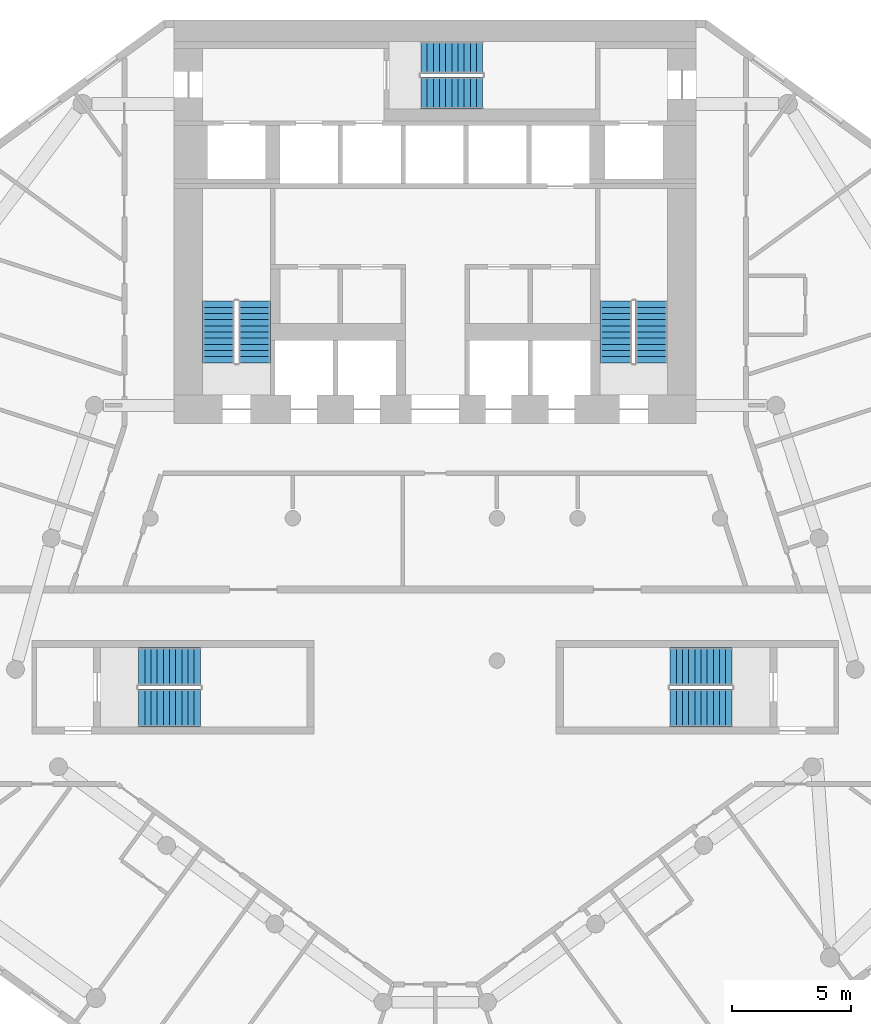
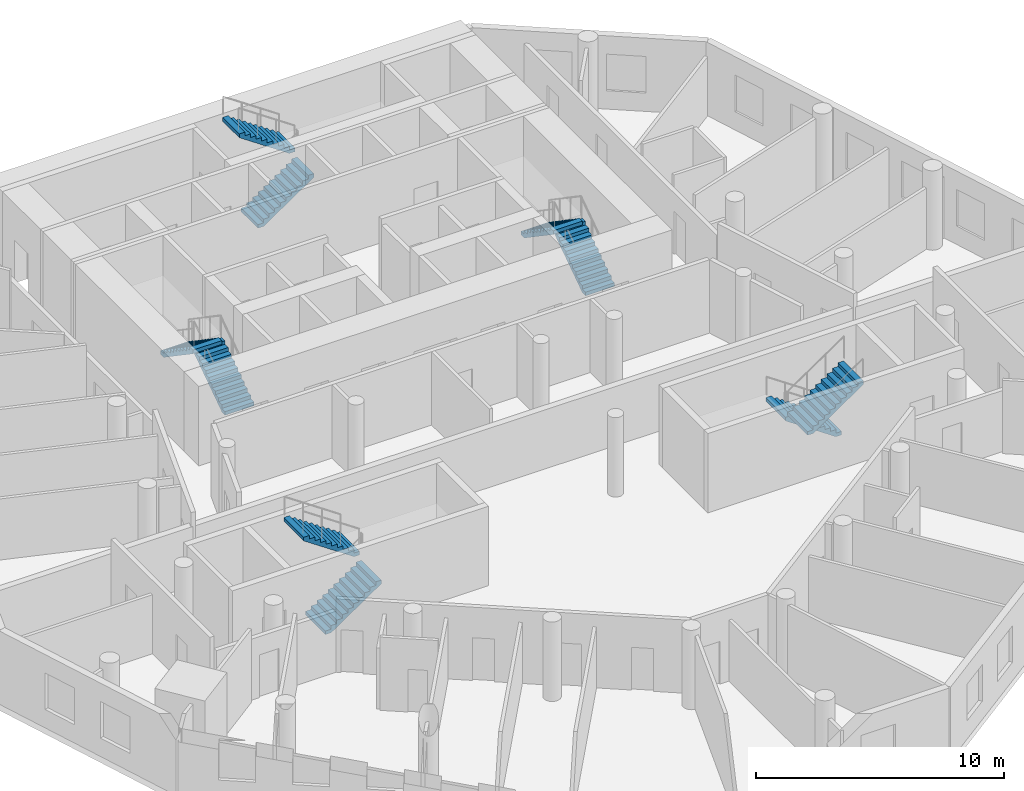
# One storey, part 7 of 9: 10 stair flights, 5 elements without a shape of their own.
"""IFC4 building model written with IfcOpenShell, lengths in metres."""

import ifcopenshell
import ifcopenshell.guid

model = None  # the IFC model being written
_history = None  # IfcOwnerHistory: only IFC2X3 demands one
_inside = {}  # id of a spatial element -> (the spatial element, [elements in it])
_under = {}  # id of a project, library or spatial element -> (it, [spatial elements below it])
_declared = {}  # id of a project -> (the project, [libraries it declares])
_typed = {}  # id of a type object -> (the type object, [elements of that type])
_made_of = {}  # id of a material, layer set ... -> (it, [elements and type objects made of it])


def new_model(schema):
    """Start an empty IFC model of exactly this schema.

    Asked for "IFC4X3", IfcOpenShell would pick the latest addendum, in which some entities
    have other attributes; the version numbers below select the first issue.
    IFC2X3 requires an IfcOwnerHistory on every rooted entity: one is made here for all.
    """
    global model, _history
    if schema == "IFC4X3":
        model = ifcopenshell.file(schema_version=(4, 3, 0, 0))
    else:
        model = ifcopenshell.file(schema=schema)
    _inside.clear()
    _under.clear()
    _declared.clear()
    _typed.clear()
    _made_of.clear()
    _history = None
    if model.schema == "IFC2X3":
        org = make("IfcOrganization", Name="unknown")
        user = make(
            "IfcPersonAndOrganization",
            ThePerson=make("IfcPerson", FamilyName="unknown"),
            TheOrganization=org,
        )
        app = make(
            "IfcApplication",
            ApplicationDeveloper=org,
            Version="unknown",
            ApplicationFullName="unknown",
            ApplicationIdentifier="unknown",
        )
        _history = make(
            "IfcOwnerHistory",
            OwningUser=user,
            OwningApplication=app,
            ChangeAction="ADDED",
            CreationDate=0,
        )
    return model


def make(cls, **values):
    """One entity of the class cls with the attributes given. An attribute that is None is left unset."""
    return model.create_entity(
        cls, **{name: value for name, value in values.items() if value is not None}
    )


def rooted(cls, **values):
    """An entity with a GlobalId (a new one), such as an element, a storey or a relation."""
    return make(cls, GlobalId=ifcopenshell.guid.new(), OwnerHistory=_history, **values)


def si_unit(unit_type, name, prefix=None):
    """IfcSIUnit, for example si_unit("LENGTHUNIT", "METRE", prefix="MILLI")."""
    return make("IfcSIUnit", UnitType=unit_type, Prefix=prefix, Name=name)


def assignment(units):
    """IfcUnitAssignment: the units of a project."""
    return None if units is None else make("IfcUnitAssignment", Units=units)


def point(xyz):
    """IfcCartesianPoint."""
    return None if xyz is None else make("IfcCartesianPoint", Coordinates=xyz)


def direction(xyz):
    """IfcDirection."""
    return None if xyz is None else make("IfcDirection", DirectionRatios=xyz)


def frame(location, z_axis=None, x_axis=None):
    """IfcAxis2Placement3D, a coordinate frame: its origin and axes. An axis left out is left unset."""
    return make(
        "IfcAxis2Placement3D",
        Location=point(location),
        Axis=direction(z_axis),
        RefDirection=direction(x_axis),
    )


def origin():
    """The frame at (0, 0, 0) with its axes left unset."""
    return frame((0.0, 0.0, 0.0))


def place(relative_to, where):
    """IfcLocalPlacement: puts the frame where relative to a parent placement (None: the world)."""
    return make(
        "IfcLocalPlacement", PlacementRelTo=relative_to, RelativePlacement=where
    )


def context(
    kind, dimensions, precision=None, world=None, true_north=None, identifier=None
):
    """IfcGeometricRepresentationContext, for example the 3D "Model" context."""
    return make(
        "IfcGeometricRepresentationContext",
        ContextIdentifier=identifier,
        ContextType=kind,
        CoordinateSpaceDimension=dimensions,
        Precision=precision,
        WorldCoordinateSystem=world,
        TrueNorth=true_north,
    )


def subcontext(parent, identifier, kind, view, scale=None):
    """IfcGeometricRepresentationSubContext, for example "Body" below "Model"."""
    return make(
        "IfcGeometricRepresentationSubContext",
        ContextIdentifier=identifier,
        ContextType=kind,
        ParentContext=parent,
        TargetScale=scale,
        TargetView=view,
    )


def project(units=None, contexts=None):
    """IfcProject with its units and contexts."""
    return rooted(
        "IfcProject",
        Name="project",
        RepresentationContexts=contexts,
        UnitsInContext=assignment(units),
    )


def spatial(cls, under=None, at=None, **own):
    """A site, building, storey or space (cls), placed at a placement, below another one or the project."""
    s = rooted(cls, ObjectPlacement=at, **own)
    if under is not None:
        _under.setdefault(under.id(), (under, []))[1].append(s)
    return s


def polyline(points):
    """IfcPolyline through the points."""
    return make("IfcPolyline", Points=[point(p) for p in points])


def outline(outer, holes=None, kind="AREA"):
    """IfcArbitraryClosedProfileDef: a profile drawn as a closed curve; with holes, ...WithVoids."""
    if holes is None:
        return make("IfcArbitraryClosedProfileDef", ProfileType=kind, OuterCurve=outer)
    return make(
        "IfcArbitraryProfileDefWithVoids",
        ProfileType=kind,
        OuterCurve=outer,
        InnerCurves=holes,
    )


def extrude(swept, where, along, depth):
    """IfcExtrudedAreaSolid: the profile swept, set in the frame where, extruded along a direction by depth."""
    return make(
        "IfcExtrudedAreaSolid",
        SweptArea=swept,
        Position=where,
        ExtrudedDirection=direction(along),
        Depth=depth,
    )


def shape(context_of_items, identifier, shape_type, items):
    """IfcShapeRepresentation: the items that make up one representation, for example the "Body"."""
    return make(
        "IfcShapeRepresentation",
        ContextOfItems=context_of_items,
        RepresentationIdentifier=identifier,
        RepresentationType=shape_type,
        Items=items,
    )


def material(Name=None, Category=None):
    """IfcMaterial."""
    return make("IfcMaterial", Name=Name, Category=Category)


def layer(
    of_material, thickness, ventilated=None, Name=None, Category=None, Priority=None
):
    """IfcMaterialLayer: one layer of a wall or slab, of a material (None: an air gap)."""
    return make(
        "IfcMaterialLayer",
        Material=of_material,
        LayerThickness=thickness,
        IsVentilated=ventilated,
        Name=Name,
        Category=Category,
        Priority=Priority,
    )


def layer_set(layers, Name=None):
    """IfcMaterialLayerSet."""
    return make("IfcMaterialLayerSet", MaterialLayers=layers, LayerSetName=Name)


def made_of(thing, what):
    """Note that an element or type object is made of a material, layer set ...; save() writes the relation."""
    if what is not None:
        _made_of.setdefault(what.id(), (what, []))[1].append(thing)
    return thing


def type_object(cls, material=None, **own):
    """A type object (cls), such as IfcWallType, which elements share."""
    return made_of(rooted(cls, **own), material)


def element(
    cls,
    number,
    at=None,
    inside=None,
    cuts=None,
    type_object=None,
    material=None,
    context=None,
    identifier="Body",
    shape_type=None,
    held_by="IfcProductDefinitionShape",
    body=None,
    shapes=None,
    **own,
):
    """One element of the class cls, such as IfcWall. Its Tag is "e" and its number.

    at: its placement. inside: the storey or other place that contains it. cuts: it is an
    opening in that element (IfcRelVoidsElement). A single representation is given by context,
    identifier, shape_type and body (its items); several are given by shapes. held_by: the class
    of the entity that holds the representations. save() writes the other relations.
    """
    e = rooted(cls, Tag="e%d" % number, ObjectPlacement=at, **own)
    if body is not None:
        shapes = [shape(context, identifier, shape_type, body)]
    if shapes is not None:
        e.Representation = make(held_by, Representations=shapes)
    if inside is not None:
        _inside.setdefault(inside.id(), (inside, []))[1].append(e)
    if cuts is not None:
        rooted(
            "IfcRelVoidsElement", RelatingBuildingElement=cuts, RelatedOpeningElement=e
        )
    if type_object is not None:
        _typed.setdefault(type_object.id(), (type_object, []))[1].append(e)
    return made_of(e, material)


def aggregate(whole, parts):
    """IfcRelAggregates: a whole, such as a stair, and the parts it consists of."""
    return rooted("IfcRelAggregates", RelatingObject=whole, RelatedObjects=parts)


def save(model, path):
    """Write the relations noted so far, then the file.

    IfcRelAggregates (storeys below a building ...), IfcRelContainedInSpatialStructure (elements
    in a storey), IfcRelDefinesByType, IfcRelAssociatesMaterial and IfcRelDeclares: one each for
    every whole, place, type object, material and project.
    """
    for whole, parts in _under.values():
        aggregate(whole, parts)
    for where, things in _inside.values():
        rooted(
            "IfcRelContainedInSpatialStructure",
            RelatedElements=things,
            RelatingStructure=where,
        )
    for kind, things in _typed.values():
        rooted("IfcRelDefinesByType", RelatedObjects=things, RelatingType=kind)
    for what, things in _made_of.values():
        rooted("IfcRelAssociatesMaterial", RelatedObjects=things, RelatingMaterial=what)
    for by, libraries in _declared.values():
        rooted("IfcRelDeclares", RelatingContext=by, RelatedDefinitions=libraries)
    model.write(path)


model = new_model("IFC4")

# Units and contexts
model_context = context("Model", 3, precision=1e-05, world=origin(), true_north=direction((0.0, 1.0)))
body_context = subcontext(model_context, "Body", "Model", "MODEL_VIEW")
ifc_project = project(units=[si_unit("LENGTHUNIT", "METRE"), si_unit("AREAUNIT", "SQUARE_METRE"), si_unit("VOLUMEUNIT", "CUBIC_METRE"), si_unit("PLANEANGLEUNIT", "RADIAN"), si_unit("MASSUNIT", "GRAM", prefix="KILO")], contexts=[model_context])

# Site, building, storey
site_placement = place(None, origin())
site = spatial("IfcSite", under=ifc_project, at=site_placement, CompositionType="ELEMENT")
building_placement = place(site_placement, origin())
building = spatial("IfcBuilding", under=site, at=building_placement, Name="White Candle Pilgrim Tower", CompositionType="ELEMENT")
storey_placement = place(building_placement, frame((0.0, 0.0, 50.699951171875)))
storey = spatial("IfcBuildingStorey", under=building, at=storey_placement, Name="L09", CompositionType="ELEMENT", Elevation=50.699951171875)

# Stair, stair flights
ifc_material = material(Name="Concrete C40/50", Category="concrete")
stair_type_1 = type_object("IfcStairType", Name="Exit stair 1 flight width 1350 mm", PredefinedType="HALF_TURN_STAIR", material=ifc_material)
stair_1_placement = place(storey_placement, origin())
stair_1 = element("IfcStair", 1, at=stair_1_placement, inside=storey, type_object=stair_type_1, Name="L09 stair 1", PredefinedType="NOTDEFINED")
ifc_layer = layer(ifc_material, 0.14990234375)
ifc_layer_set = layer_set([ifc_layer], Name="Stair flight Concrete C40/50")
stair_flight_type = type_object("IfcStairFlightType", Name="Stair flight Concrete C40/50", PredefinedType="STRAIGHT", material=ifc_layer_set)
stair_flight_1_placement = place(storey_placement, frame((62.375, 73.550048828125, 0.0), z_axis=(0.0, 0.0, 1.0), x_axis=(0.0, 1.0, 0.0)))
stair_flight_1 = element("IfcStairFlight", 2, at=stair_flight_1_placement, type_object=stair_flight_type, Name="ST1 flight 1", NumberOfRisers=11, NumberOfTreads=10, PredefinedType="NOTDEFINED", RiserHeight=0.177272727, TreadLength=0.26, context=body_context, shape_type="SweptSolid", body=[
    extrude(outline(polyline([(0.0, 0.0), (0.0, 0.17724609375), (0.260009765625, 0.17724609375), (0.260009765625, 0.3544921875), (0.52001953125, 0.3544921875), (0.52001953125, 0.53173828125), (0.780029296875, 0.53173828125), (0.780029296875, 0.708984375), (1.0400390625, 0.708984375), (1.0400390625, 0.886474609375), (1.300048828125, 0.886474609375), (1.300048828125, 1.063720703125), (1.56005859375, 1.063720703125), (1.56005859375, 1.240966796875), (1.820068359375, 1.240966796875), (1.820068359375, 1.418212890625), (2.080078125, 1.418212890625), (2.080078125, 1.595458984375), (2.340087890625, 1.595458984375), (2.340087890625, 1.772705078125), (2.60009765625, 1.772705078125), (2.60009765625, 1.949951171875), (2.60009765625, 1.59130859375), (0.26611328125, 0.0), (0.0, 0.0)])), frame((0.0, 0.675048828125, 0.0), z_axis=(0.0, -1.0, 0.0), x_axis=(1.0, 0.0, 0.0)), (0.0, 0.0, 1.0), 1.35009765625),
])
stair_flight_2_placement = place(storey_placement, frame((60.875, 76.14990234375, 1.949951171875), z_axis=(0.0, 0.0, 1.0), x_axis=(0.0, -1.0, 0.0)))
stair_flight_2 = element("IfcStairFlight", 3, at=stair_flight_2_placement, type_object=stair_flight_type, Name="ST1 flight 2", NumberOfRisers=11, NumberOfTreads=10, PredefinedType="NOTDEFINED", RiserHeight=0.177272727, TreadLength=0.26, context=body_context, shape_type="SweptSolid", body=[
    extrude(outline(polyline([(0.0, 0.0), (0.0, 0.17724609375), (0.260009765625, 0.17724609375), (0.260009765625, 0.3544921875), (0.52001953125, 0.3544921875), (0.52001953125, 0.53173828125), (0.780029296875, 0.53173828125), (0.780029296875, 0.708984375), (1.0400390625, 0.708984375), (1.0400390625, 0.886474609375), (1.300048828125, 0.886474609375), (1.300048828125, 1.063720703125), (1.56005859375, 1.063720703125), (1.56005859375, 1.240966796875), (1.820068359375, 1.240966796875), (1.820068359375, 1.418212890625), (2.080078125, 1.418212890625), (2.080078125, 1.595458984375), (2.340087890625, 1.595458984375), (2.340087890625, 1.772705078125), (2.60009765625, 1.772705078125), (2.60009765625, 1.949951171875), (2.60009765625, 1.59130859375), (0.26611328125, 0.0), (0.0, 0.0)])), frame((0.0, 0.675048828125, 0.0), z_axis=(0.0, -1.0, 0.0), x_axis=(1.0, 0.0, 0.0)), (0.0, 0.0, 1.0), 1.35009765625),
])
aggregate(stair_1, [stair_flight_1, stair_flight_2])

stair_type_2 = type_object("IfcStairType", Name="Exit stair 2 flight width 1350 mm", PredefinedType="HALF_TURN_STAIR", material=ifc_material)
stair_2_placement = place(storey_placement, origin())
stair_2 = element("IfcStair", 4, at=stair_2_placement, inside=storey, type_object=stair_type_2, Name="L09 stair 2", PredefinedType="NOTDEFINED")
stair_flight_3_placement = place(storey_placement, frame((79.125, 73.550048828125, 0.0), z_axis=(0.0, 0.0, 1.0), x_axis=(0.0, 1.0, 0.0)))
stair_flight_3 = element("IfcStairFlight", 5, at=stair_flight_3_placement, type_object=stair_flight_type, Name="ST2 flight 1", NumberOfRisers=11, NumberOfTreads=10, PredefinedType="NOTDEFINED", RiserHeight=0.177272727, TreadLength=0.26, context=body_context, shape_type="SweptSolid", body=[
    extrude(outline(polyline([(0.0, 0.0), (0.0, 0.17724609375), (0.260009765625, 0.17724609375), (0.260009765625, 0.3544921875), (0.52001953125, 0.3544921875), (0.52001953125, 0.53173828125), (0.780029296875, 0.53173828125), (0.780029296875, 0.708984375), (1.0400390625, 0.708984375), (1.0400390625, 0.886474609375), (1.300048828125, 0.886474609375), (1.300048828125, 1.063720703125), (1.56005859375, 1.063720703125), (1.56005859375, 1.240966796875), (1.820068359375, 1.240966796875), (1.820068359375, 1.418212890625), (2.080078125, 1.418212890625), (2.080078125, 1.595458984375), (2.340087890625, 1.595458984375), (2.340087890625, 1.772705078125), (2.60009765625, 1.772705078125), (2.60009765625, 1.949951171875), (2.60009765625, 1.59130859375), (0.26611328125, 0.0), (0.0, 0.0)])), frame((0.0, 0.675048828125, 0.0), z_axis=(0.0, -1.0, 0.0), x_axis=(1.0, 0.0, 0.0)), (0.0, 0.0, 1.0), 1.35009765625),
])
stair_flight_4_placement = place(storey_placement, frame((77.625, 76.14990234375, 1.949951171875), z_axis=(0.0, 0.0, 1.0), x_axis=(0.0, -1.0, 0.0)))
stair_flight_4 = element("IfcStairFlight", 6, at=stair_flight_4_placement, type_object=stair_flight_type, Name="ST2 flight 2", NumberOfRisers=11, NumberOfTreads=10, PredefinedType="NOTDEFINED", RiserHeight=0.177272727, TreadLength=0.26, context=body_context, shape_type="SweptSolid", body=[
    extrude(outline(polyline([(0.0, 0.0), (0.0, 0.17724609375), (0.260009765625, 0.17724609375), (0.260009765625, 0.3544921875), (0.52001953125, 0.3544921875), (0.52001953125, 0.53173828125), (0.780029296875, 0.53173828125), (0.780029296875, 0.708984375), (1.0400390625, 0.708984375), (1.0400390625, 0.886474609375), (1.300048828125, 0.886474609375), (1.300048828125, 1.063720703125), (1.56005859375, 1.063720703125), (1.56005859375, 1.240966796875), (1.820068359375, 1.240966796875), (1.820068359375, 1.418212890625), (2.080078125, 1.418212890625), (2.080078125, 1.595458984375), (2.340087890625, 1.595458984375), (2.340087890625, 1.772705078125), (2.60009765625, 1.772705078125), (2.60009765625, 1.949951171875), (2.60009765625, 1.59130859375), (0.26611328125, 0.0), (0.0, 0.0)])), frame((0.0, 0.675048828125, 0.0), z_axis=(0.0, -1.0, 0.0), x_axis=(1.0, 0.0, 0.0)), (0.0, 0.0, 1.0), 1.35009765625),
])
aggregate(stair_2, [stair_flight_3, stair_flight_4])

stair_type_3 = type_object("IfcStairType", Name="Exit stair 3 flight width 1350 mm", PredefinedType="HALF_TURN_STAIR", material=ifc_material)
stair_3_placement = place(storey_placement, origin())
stair_3 = element("IfcStair", 7, at=stair_3_placement, inside=storey, type_object=stair_type_3, Name="L09 stair 3", PredefinedType="NOTDEFINED")
stair_flight_5_placement = place(storey_placement, frame((69.39990234375, 84.925048828125, 0.0), z_axis=(0.0, 0.0, 1.0), x_axis=(1.0, 0.0, 0.0)))
stair_flight_5 = element("IfcStairFlight", 8, at=stair_flight_5_placement, type_object=stair_flight_type, Name="ST3 flight 1", NumberOfRisers=11, NumberOfTreads=10, PredefinedType="NOTDEFINED", RiserHeight=0.177272727, TreadLength=0.26, context=body_context, shape_type="SweptSolid", body=[
    extrude(outline(polyline([(0.0, 0.0), (0.0, 0.17724609375), (0.260009765625, 0.17724609375), (0.260009765625, 0.3544921875), (0.52001953125, 0.3544921875), (0.52001953125, 0.53173828125), (0.780029296875, 0.53173828125), (0.780029296875, 0.708984375), (1.0400390625, 0.708984375), (1.0400390625, 0.886474609375), (1.300048828125, 0.886474609375), (1.300048828125, 1.063720703125), (1.56005859375, 1.063720703125), (1.56005859375, 1.240966796875), (1.820068359375, 1.240966796875), (1.820068359375, 1.418212890625), (2.080078125, 1.418212890625), (2.080078125, 1.595458984375), (2.340087890625, 1.595458984375), (2.340087890625, 1.772705078125), (2.60009765625, 1.772705078125), (2.60009765625, 1.949951171875), (2.60009765625, 1.59130859375), (0.26611328125, 0.0), (0.0, 0.0)])), frame((0.0, 0.675048828125, 0.0), z_axis=(0.0, -1.0, 0.0), x_axis=(1.0, 0.0, 0.0)), (0.0, 0.0, 1.0), 1.35009765625),
])
stair_flight_6_placement = place(storey_placement, frame((72.0, 86.425048828125, 1.949951171875), z_axis=(0.0, 0.0, 1.0), x_axis=(-1.0, 0.0, 0.0)))
stair_flight_6 = element("IfcStairFlight", 9, at=stair_flight_6_placement, type_object=stair_flight_type, Name="ST3 flight 2", NumberOfRisers=11, NumberOfTreads=10, PredefinedType="NOTDEFINED", RiserHeight=0.177272727, TreadLength=0.26, context=body_context, shape_type="SweptSolid", body=[
    extrude(outline(polyline([(0.0, 0.0), (0.0, 0.17724609375), (0.260009765625, 0.17724609375), (0.260009765625, 0.3544921875), (0.52001953125, 0.3544921875), (0.52001953125, 0.53173828125), (0.780029296875, 0.53173828125), (0.780029296875, 0.708984375), (1.0400390625, 0.708984375), (1.0400390625, 0.886474609375), (1.300048828125, 0.886474609375), (1.300048828125, 1.063720703125), (1.56005859375, 1.063720703125), (1.56005859375, 1.240966796875), (1.820068359375, 1.240966796875), (1.820068359375, 1.418212890625), (2.080078125, 1.418212890625), (2.080078125, 1.595458984375), (2.340087890625, 1.595458984375), (2.340087890625, 1.772705078125), (2.60009765625, 1.772705078125), (2.60009765625, 1.949951171875), (2.60009765625, 1.59130859375), (0.26611328125, 0.0), (0.0, 0.0)])), frame((0.0, 0.675048828125, 0.0), z_axis=(0.0, -1.0, 0.0), x_axis=(1.0, 0.0, 0.0)), (0.0, 0.0, 1.0), 1.35009765625),
])
aggregate(stair_3, [stair_flight_5, stair_flight_6])

stair_type_4 = type_object("IfcStairType", Name="Exit stair 4 flight width 1600 mm", PredefinedType="HALF_TURN_STAIR", material=ifc_material)
stair_4_placement = place(storey_placement, origin())
stair_4 = element("IfcStair", 10, at=stair_4_placement, inside=storey, type_object=stair_type_4, Name="L09 stair 4", PredefinedType="NOTDEFINED")
stair_flight_7_placement = place(storey_placement, frame((82.5, 60.75, 0.0), z_axis=(0.0, 0.0, 1.0), x_axis=(-1.0, 0.0, 0.0)))
stair_flight_7 = element("IfcStairFlight", 11, at=stair_flight_7_placement, type_object=stair_flight_type, Name="ST4 flight 1", NumberOfRisers=11, NumberOfTreads=10, PredefinedType="NOTDEFINED", RiserHeight=0.177272727, TreadLength=0.26, context=body_context, shape_type="SweptSolid", body=[
    extrude(outline(polyline([(0.0, 0.0), (0.0, 0.17724609375), (0.260009765625, 0.17724609375), (0.260009765625, 0.3544921875), (0.52001953125, 0.3544921875), (0.52001953125, 0.53173828125), (0.780029296875, 0.53173828125), (0.780029296875, 0.708984375), (1.0400390625, 0.708984375), (1.0400390625, 0.886474609375), (1.300048828125, 0.886474609375), (1.300048828125, 1.063720703125), (1.56005859375, 1.063720703125), (1.56005859375, 1.240966796875), (1.820068359375, 1.240966796875), (1.820068359375, 1.418212890625), (2.080078125, 1.418212890625), (2.080078125, 1.595458984375), (2.340087890625, 1.595458984375), (2.340087890625, 1.772705078125), (2.60009765625, 1.772705078125), (2.60009765625, 1.949951171875), (2.60009765625, 1.59130859375), (0.26611328125, 0.0), (0.0, 0.0)])), frame((0.0, 0.800048828125, 0.0), z_axis=(0.0, -1.0, 0.0), x_axis=(1.0, 0.0, 0.0)), (0.0, 0.0, 1.0), 1.60009765625),
])
stair_flight_8_placement = place(storey_placement, frame((79.89990234375, 59.0, 1.949951171875), z_axis=(0.0, 0.0, 1.0), x_axis=(1.0, 0.0, 0.0)))
stair_flight_8 = element("IfcStairFlight", 12, at=stair_flight_8_placement, type_object=stair_flight_type, Name="ST4 flight 2", NumberOfRisers=11, NumberOfTreads=10, PredefinedType="NOTDEFINED", RiserHeight=0.177272727, TreadLength=0.26, context=body_context, shape_type="SweptSolid", body=[
    extrude(outline(polyline([(0.0, 0.0), (0.0, 0.17724609375), (0.260009765625, 0.17724609375), (0.260009765625, 0.3544921875), (0.52001953125, 0.3544921875), (0.52001953125, 0.53173828125), (0.780029296875, 0.53173828125), (0.780029296875, 0.708984375), (1.0400390625, 0.708984375), (1.0400390625, 0.886474609375), (1.300048828125, 0.886474609375), (1.300048828125, 1.063720703125), (1.56005859375, 1.063720703125), (1.56005859375, 1.240966796875), (1.820068359375, 1.240966796875), (1.820068359375, 1.418212890625), (2.080078125, 1.418212890625), (2.080078125, 1.595458984375), (2.340087890625, 1.595458984375), (2.340087890625, 1.772705078125), (2.60009765625, 1.772705078125), (2.60009765625, 1.949951171875), (2.60009765625, 1.59130859375), (0.26611328125, 0.0), (0.0, 0.0)])), frame((0.0, 0.800048828125, 0.0), z_axis=(0.0, -1.0, 0.0), x_axis=(1.0, 0.0, 0.0)), (0.0, 0.0, 1.0), 1.60009765625),
])
aggregate(stair_4, [stair_flight_7, stair_flight_8])

stair_type_5 = type_object("IfcStairType", Name="Exit stair 5 flight width 1600 mm", PredefinedType="HALF_TURN_STAIR", material=ifc_material)
stair_5_placement = place(storey_placement, origin())
stair_5 = element("IfcStair", 13, at=stair_5_placement, inside=storey, type_object=stair_type_5, Name="L09 stair 5", PredefinedType="NOTDEFINED")
stair_flight_9_placement = place(storey_placement, frame((57.5, 59.0, 0.0), z_axis=(0.0, 0.0, 1.0), x_axis=(1.0, 0.0, 0.0)))
stair_flight_9 = element("IfcStairFlight", 14, at=stair_flight_9_placement, type_object=stair_flight_type, Name="ST5 flight 1", NumberOfRisers=11, NumberOfTreads=10, PredefinedType="NOTDEFINED", RiserHeight=0.177272727, TreadLength=0.26, context=body_context, shape_type="SweptSolid", body=[
    extrude(outline(polyline([(0.0, 0.0), (0.0, 0.17724609375), (0.260009765625, 0.17724609375), (0.260009765625, 0.3544921875), (0.52001953125, 0.3544921875), (0.52001953125, 0.53173828125), (0.780029296875, 0.53173828125), (0.780029296875, 0.708984375), (1.0400390625, 0.708984375), (1.0400390625, 0.886474609375), (1.300048828125, 0.886474609375), (1.300048828125, 1.063720703125), (1.56005859375, 1.063720703125), (1.56005859375, 1.240966796875), (1.820068359375, 1.240966796875), (1.820068359375, 1.418212890625), (2.080078125, 1.418212890625), (2.080078125, 1.595458984375), (2.340087890625, 1.595458984375), (2.340087890625, 1.772705078125), (2.60009765625, 1.772705078125), (2.60009765625, 1.949951171875), (2.60009765625, 1.59130859375), (0.26611328125, 0.0), (0.0, 0.0)])), frame((0.0, 0.800048828125, 0.0), z_axis=(0.0, -1.0, 0.0), x_axis=(1.0, 0.0, 0.0)), (0.0, 0.0, 1.0), 1.60009765625),
])
stair_flight_10_placement = place(storey_placement, frame((60.10009765625, 60.75, 1.949951171875), z_axis=(0.0, 0.0, 1.0), x_axis=(-1.0, 0.0, 0.0)))
stair_flight_10 = element("IfcStairFlight", 15, at=stair_flight_10_placement, type_object=stair_flight_type, Name="ST5 flight 2", NumberOfRisers=11, NumberOfTreads=10, PredefinedType="NOTDEFINED", RiserHeight=0.177272727, TreadLength=0.26, context=body_context, shape_type="SweptSolid", body=[
    extrude(outline(polyline([(0.0, 0.0), (0.0, 0.17724609375), (0.260009765625, 0.17724609375), (0.260009765625, 0.3544921875), (0.52001953125, 0.3544921875), (0.52001953125, 0.53173828125), (0.780029296875, 0.53173828125), (0.780029296875, 0.708984375), (1.0400390625, 0.708984375), (1.0400390625, 0.886474609375), (1.300048828125, 0.886474609375), (1.300048828125, 1.063720703125), (1.56005859375, 1.063720703125), (1.56005859375, 1.240966796875), (1.820068359375, 1.240966796875), (1.820068359375, 1.418212890625), (2.080078125, 1.418212890625), (2.080078125, 1.595458984375), (2.340087890625, 1.595458984375), (2.340087890625, 1.772705078125), (2.60009765625, 1.772705078125), (2.60009765625, 1.949951171875), (2.60009765625, 1.59130859375), (0.26611328125, 0.0), (0.0, 0.0)])), frame((0.0, 0.800048828125, 0.0), z_axis=(0.0, -1.0, 0.0), x_axis=(1.0, 0.0, 0.0)), (0.0, 0.0, 1.0), 1.60009765625),
])
aggregate(stair_5, [stair_flight_9, stair_flight_10])

save(model, "model.ifc")
